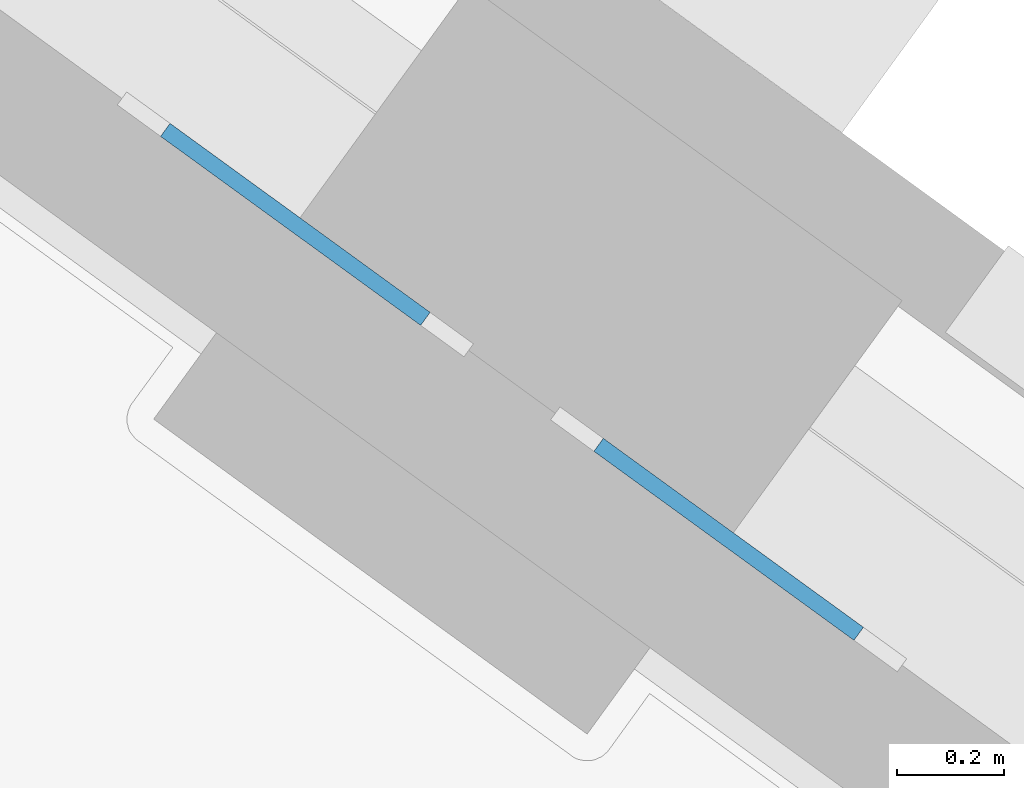
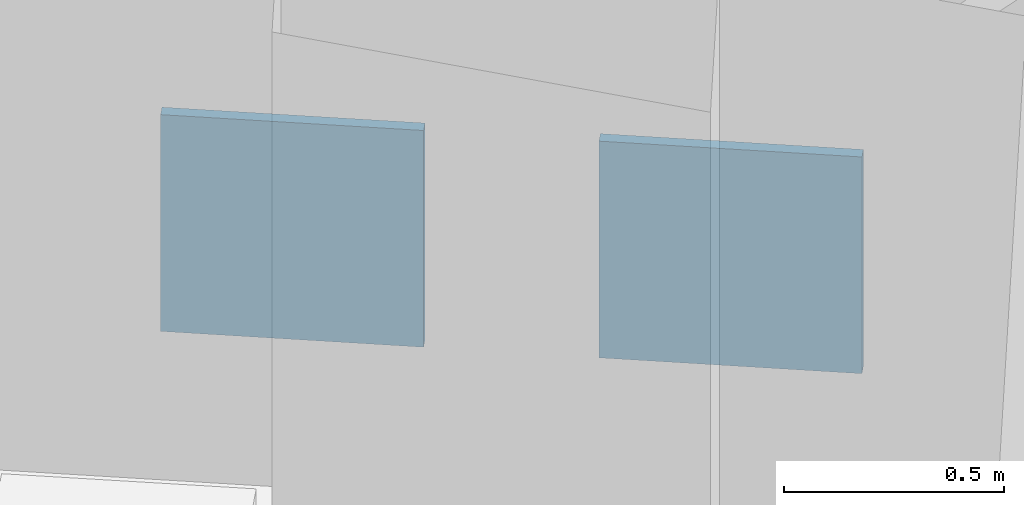
# One storey, part 10 of 19: 2 plates.
"""IFC4 building model written with IfcOpenShell, lengths in metres."""

from ifc_helpers import new_model, si_unit, direction, frame, origin, origin_2d, place, context, subcontext, project, spatial, rectangle, extrude, material, layer, layer_set, type_object, element, save


model = new_model("IFC4")

# Units and contexts
model_context = context("Model", 3, precision=1e-05, world=origin(), true_north=direction((0.0, 1.0)))
body_context = subcontext(model_context, "Body", "Model", "MODEL_VIEW")
ifc_project = project(units=[si_unit("LENGTHUNIT", "METRE"), si_unit("AREAUNIT", "SQUARE_METRE"), si_unit("VOLUMEUNIT", "CUBIC_METRE"), si_unit("PLANEANGLEUNIT", "RADIAN"), si_unit("MASSUNIT", "GRAM", prefix="KILO")], contexts=[model_context])

# Site, building, storey
site_placement = place(None, origin())
site = spatial("IfcSite", under=ifc_project, at=site_placement, CompositionType="ELEMENT")
building_placement = place(site_placement, origin())
building = spatial("IfcBuilding", under=site, at=building_placement, Name="Quipu Civic Tower", CompositionType="ELEMENT")
storey_placement = place(building_placement, frame((0.0, 0.0, 25.0)))
storey = spatial("IfcBuildingStorey", under=building, at=storey_placement, Name="L05", CompositionType="ELEMENT", Elevation=25.0)

# Plates
ifc_material = material(Name="Steel ASTM A572 Grade 50 (fy 345 MPa)", Category="steel")
ifc_layer = layer(ifc_material, 0.030029296875)
ifc_layer_set = layer_set([ifc_layer], Name="Steel ASTM A572 Grade 50 (fy 345 MPa)")
plate_type = type_object("IfcPlateType", Name="Cast in plate TD1", PredefinedType="SHEET", material=ifc_layer_set)
for number, where, z_axis, x_axis, name in (
    (1, (49.470458984375, 39.7119140625, 0.245361328125), (0.0, 0.0, 1.0), (0.809006735464, -0.587799372213, 0.0), "Cast-in plate TD1 L05 009"),
    (2, (48.66162109375, 40.2998046875, 0.245361328125), (0.0, 0.0, 1.0), (0.809006735464, -0.587799372213, 0.0), "Cast-in plate TD1 L05 012"),
):
    element("IfcPlate", number, at=place(storey_placement, frame(where, z_axis=z_axis, x_axis=x_axis)), inside=storey, type_object=plate_type, Name=name, PredefinedType="SHEET", context=body_context, shape_type="SweptSolid", body=[
        extrude(rectangle(XDim=0.60009765625, YDim=0.030029296875, at=origin_2d()), origin(), (0.0, 0.0, 1.0), 0.60009765625),
    ])

save(model, "model.ifc")
